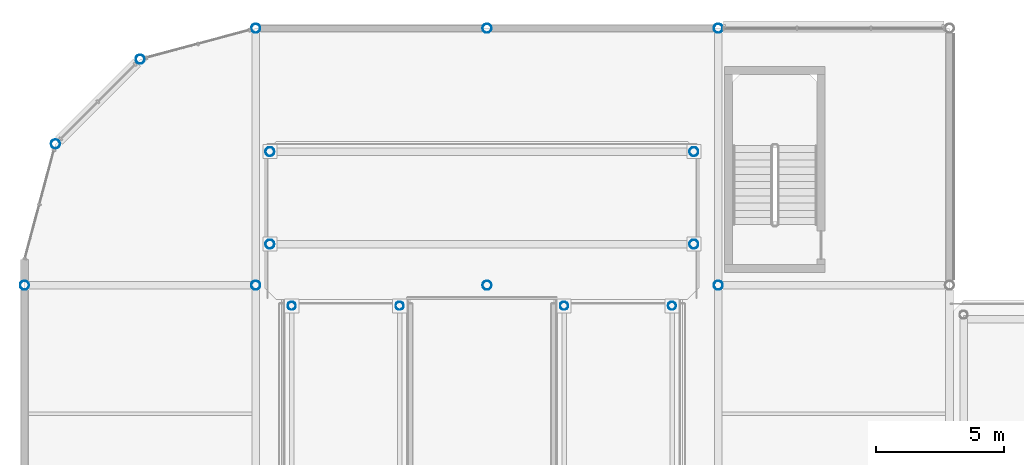
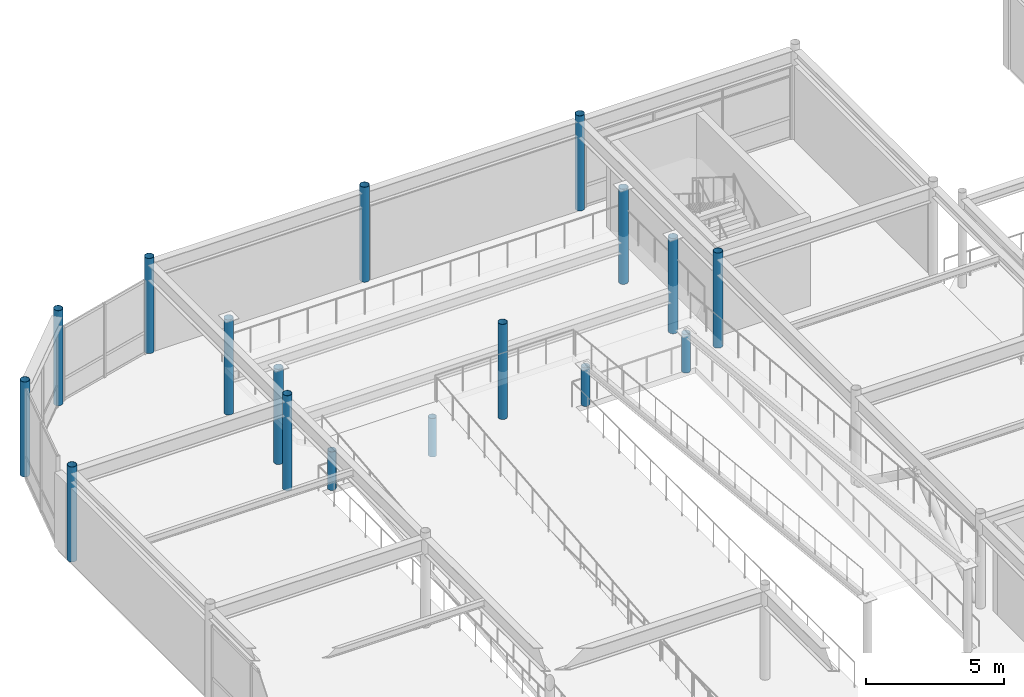
# One storey, part 4 of 70: 17 columns.
"""IFC4 building model written with IfcOpenShell, lengths in metres."""

from ifc_helpers import new_model, si_unit, direction, frame, origin, origin_2d, place, context, subcontext, project, spatial, hollow_circle, extrude, material, material_profile, profile_set, type_object, element, save


model = new_model("IFC4")

# Units and contexts
model_context = context("Model", 3, precision=1e-05, world=origin(), true_north=direction((0.0, 1.0)))
body_context = subcontext(model_context, "Body", "Model", "MODEL_VIEW")
ifc_project = project(units=[si_unit("LENGTHUNIT", "METRE"), si_unit("AREAUNIT", "SQUARE_METRE"), si_unit("VOLUMEUNIT", "CUBIC_METRE"), si_unit("PLANEANGLEUNIT", "RADIAN"), si_unit("MASSUNIT", "GRAM", prefix="KILO")], contexts=[model_context])

# Site, building, storey
site_placement = place(None, origin())
site = spatial("IfcSite", under=ifc_project, at=site_placement, CompositionType="ELEMENT")
building_placement = place(site_placement, origin())
building = spatial("IfcBuilding", under=site, at=building_placement, Name="Suzunagisa Mobility Hub", CompositionType="ELEMENT")
storey_placement = place(building_placement, frame((0.0, 0.0, 13.5)))
storey = spatial("IfcBuildingStorey", under=building, at=storey_placement, Name="L03", CompositionType="ELEMENT", Elevation=13.5)

# Columns
ifc_material = material(Name="Steel SN490B", Category="steel")
ifc_material_profile_1 = material_profile(ifc_material, hollow_circle(Radius=0.1591796875, WallThickness=0.01025390625, at=origin_2d()), Name="CHS-318.5x10.3")
ifc_profile_set_1 = profile_set([ifc_material_profile_1], Name="Steel SN490B")
column_type_1 = type_object("IfcColumnType", Name="Steel Column CL-09 CHS-318.5x10.3", PredefinedType="COLUMN", material=ifc_profile_set_1)
for number, where, z_axis, x_axis, name in (
    (1, (10.39990234375, 107.199951171875, 0.0), (0.0, 0.0, 1.0), (1.0, 0.0, 0.0), "L03 Column 36"),
    (2, (14.60009765625, 107.199951171875, 0.0), (0.0, 0.0, 1.0), (1.0, 0.0, 0.0), "L03 Column 39"),
    (3, (21.0, 107.199951171875, 0.0), (0.0, 0.0, 1.0), (1.0, 0.0, 0.0), "L03 Column 56"),
    (4, (25.199951171875, 107.199951171875, 0.0), (0.0, 0.0, 1.0), (1.0, 0.0, 0.0), "L03 Column 58"),
):
    element("IfcColumn", number, at=place(storey_placement, frame(where, z_axis=z_axis, x_axis=x_axis)), inside=storey, type_object=column_type_1, Name=name, PredefinedType="COLUMN", context=body_context, shape_type="SweptSolid", body=[
        extrude(hollow_circle(Radius=0.1591796875, WallThickness=0.01025390625, at=origin_2d()), origin(), (0.0, 0.0, 1.0), 1.699951171875),
    ])
ifc_material_profile_2 = material_profile(ifc_material, hollow_circle(Radius=0.177734375, WallThickness=0.0126953125, at=origin_2d()), Name="CHS-355.6x12.7")
ifc_profile_set_2 = profile_set([ifc_material_profile_2], Name="Steel SN490B")
column_type_2 = type_object("IfcColumnType", Name="Steel Column CL-18 CHS-355.6x12.7", PredefinedType="COLUMN", material=ifc_profile_set_2)
for number, where, z_axis, x_axis, name in (
    (5, (0.0, 108.0, 0.0), (0.0, 0.0, 1.0), (1.0, 0.0, 0.0), "L03 Column 10"),
    (6, (1.205810546875, 113.5, 0.0), (0.0, 0.0, 1.0), (1.0, 0.0, 0.0), "L03 Column 14"),
    (7, (4.5, 116.794189453125, 0.0), (0.0, 0.0, 1.0), (1.0, 0.0, 0.0), "L03 Column 19"),
    (8, (9.0, 108.0, 0.0), (0.0, 0.0, 1.0), (1.0, 0.0, 0.0), "L03 Column 31"),
    (9, (9.0, 118.0, 0.0), (0.0, 0.0, 1.0), (1.0, 0.0, 0.0), "L03 Column 32"),
    (10, (9.550048828125, 109.60009765625, 0.0), (0.0, 0.0, 1.0), (1.0, 0.0, 0.0), "L03 Column 33"),
    (11, (9.550048828125, 113.199951171875, 0.0), (0.0, 0.0, 1.0), (1.0, 0.0, 0.0), "L03 Column 34"),
    (12, (18.0, 108.0, 0.0), (0.0, 0.0, 1.0), (1.0, 0.0, 0.0), "L03 Column 52"),
    (13, (18.0, 118.0, 0.0), (0.0, 0.0, 1.0), (1.0, 0.0, 0.0), "L03 Column 53"),
    (14, (26.050048828125, 109.60009765625, 0.0), (0.0, 0.0, 1.0), (1.0, 0.0, 0.0), "L03 Column 60"),
    (15, (26.050048828125, 113.199951171875, 0.0), (0.0, 0.0, 1.0), (1.0, 0.0, 0.0), "L03 Column 61"),
    (16, (27.0, 108.0, 0.0), (0.0, 0.0, 1.0), (1.0, 0.0, 0.0), "L03 Column 73"),
    (17, (27.0, 118.0, 0.0), (0.0, 0.0, 1.0), (1.0, 0.0, 0.0), "L03 Column 74"),
):
    element("IfcColumn", number, at=place(storey_placement, frame(where, z_axis=z_axis, x_axis=x_axis)), inside=storey, type_object=column_type_2, Name=name, PredefinedType="COLUMN", context=body_context, shape_type="SweptSolid", body=[
        extrude(hollow_circle(Radius=0.177734375, WallThickness=0.0126953125, at=origin_2d()), origin(), (0.0, 0.0, 1.0), 4.199951171875),
    ])

save(model, "model.ifc")
